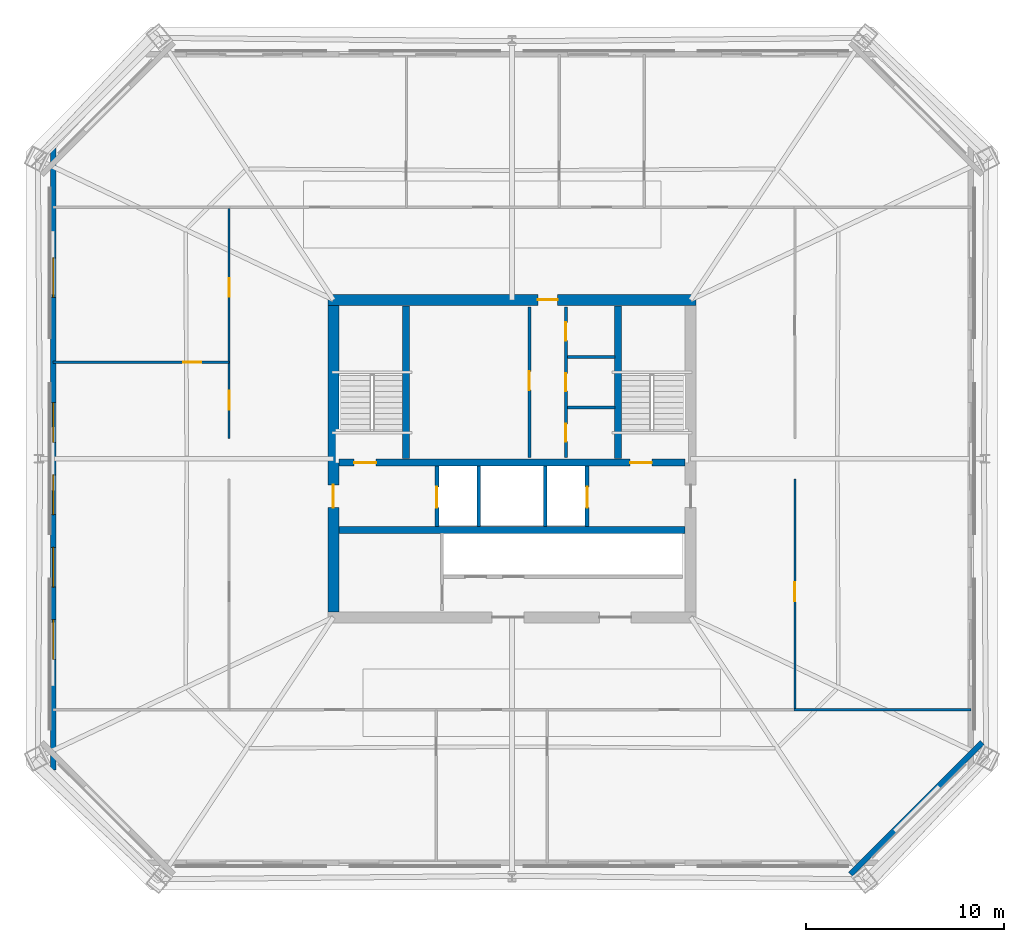
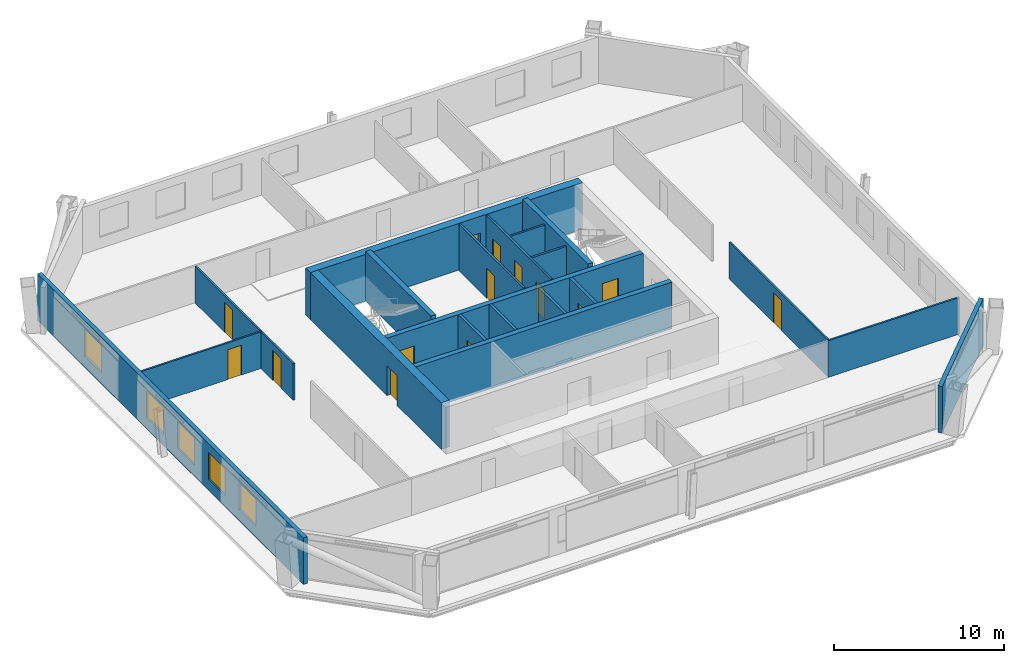
# One storey, part 3 of 7: 20 walls, 14 doors, 5 windows, 19 openings.
"""IFC4 building model written with IfcOpenShell, lengths in metres."""

from ifc_helpers import new_model, si_unit, direction, frame, frame_2d, origin, place, context, subcontext, project, spatial, rectangle, extrude, material, layer, layer_set, type_object, element, fill, save


model = new_model("IFC4")

# Units and contexts
model_context = context("Model", 3, precision=1e-05, world=origin(), true_north=direction((0.0, 1.0)))
body_context = subcontext(model_context, "Body", "Model", "MODEL_VIEW")
ifc_project = project(units=[si_unit("LENGTHUNIT", "METRE"), si_unit("AREAUNIT", "SQUARE_METRE"), si_unit("VOLUMEUNIT", "CUBIC_METRE"), si_unit("PLANEANGLEUNIT", "RADIAN"), si_unit("MASSUNIT", "GRAM", prefix="KILO")], contexts=[model_context])

# Site, building, storey
site_placement = place(None, origin())
site = spatial("IfcSite", under=ifc_project, at=site_placement, CompositionType="ELEMENT")
building_placement = place(site_placement, origin())
building = spatial("IfcBuilding", under=site, at=building_placement, Name="Caelvoria Tower", CompositionType="ELEMENT")
storey_placement = place(building_placement, frame((0.0, 0.0, 156.39990234375)))
storey = spatial("IfcBuildingStorey", under=building, at=storey_placement, Name="L41", CompositionType="ELEMENT", Elevation=156.39990234375)

# Wall, openings, doors
ifc_material_1 = material(Name="Concrete C50/60", Category="concrete")
ifc_layer_1 = layer(ifc_material_1, 0.35009765625, Name="Concrete C50/60")
ifc_layer_set_1 = layer_set([ifc_layer_1], Name="Core Internal Shear Wall 350 - Concrete C50/60")
wall_type_1 = type_object("IfcWallType", Name="Core Internal Shear Wall 350", PredefinedType="SHEAR", material=ifc_layer_set_1)
wall_1_placement = place(storey_placement, frame((37.27490234375, 31.800048828125, 0.0), z_axis=(0.0, 0.0, 1.0), x_axis=(1.0, 0.0, 0.0)))
wall_1 = element("IfcWall", 1, at=wall_1_placement, inside=storey, type_object=wall_type_1, Name="Core Shear Wall L41 M1", PredefinedType="SHEAR", context=body_context, shape_type="SweptSolid", body=[
    extrude(rectangle(XDim=17.4501953125, YDim=0.35009765625, at=frame_2d((8.72509765625, 0.0))), origin(), (0.0, 0.0, 1.0), 3.360107421875),
])
opening_1_placement = place(wall_1_placement, frame((0.77490234375, 0.0, 0.0)))
opening_1 = element("IfcOpeningElement", 2, at=opening_1_placement, cuts=wall_1, Name="Opening ID-01", PredefinedType="OPENING", context=body_context, shape_type="SweptSolid", body=[
    extrude(rectangle(XDim=1.10009765625, YDim=2.14990234375, at=frame_2d((0.550048828125, 1.074951171875))), frame((0.0, 0.18505859375, 0.0), z_axis=(0.0, -1.0, 0.0), x_axis=(1.0, 0.0, 0.0)), (0.0, 0.0, 1.0), 0.3701171875),
])
opening_2_placement = place(wall_1_placement, frame((14.675048828125, 0.0, 0.0)))
opening_2 = element("IfcOpeningElement", 3, at=opening_2_placement, cuts=wall_1, Name="Opening ID-01", PredefinedType="OPENING", context=body_context, shape_type="SweptSolid", body=[
    extrude(rectangle(XDim=1.10009765625, YDim=2.14990234375, at=frame_2d((0.550048828125, 1.074951171875))), frame((0.0, 0.18505859375, 0.0), z_axis=(0.0, -1.0, 0.0), x_axis=(1.0, 0.0, 0.0)), (0.0, 0.0, 1.0), 0.3701171875),
])
ifc_material_2 = material(Name="Painted Hollow Steel Fire Door", Category="steel")
door_type_1 = type_object("IfcDoorType", Name="Fire Door FD90S 1100x2150", OperationType="NOTDEFINED", PredefinedType="DOOR", material=ifc_material_2)
door_1_placement = place(opening_1_placement, origin())
door_1 = element("IfcDoor", 4, at=door_1_placement, inside=storey, type_object=door_type_1, Name="Core Door DR-L41-ST1", OperationType="SINGLE_SWING_LEFT", OverallHeight=2.14990234375, OverallWidth=1.10009765625, PredefinedType="DOOR", context=body_context, shape_type="SweptSolid", body=[
    extrude(rectangle(XDim=1.10009765625, YDim=2.14990234375, at=frame_2d((0.550048828125, 1.074951171875))), frame((0.0, 0.02490234375, 0.0), z_axis=(0.0, -1.0, 0.0), x_axis=(1.0, 0.0, 0.0)), (0.0, 0.0, 1.0), 0.050048828125),
])
fill(opening_1, door_1)
door_2_placement = place(opening_2_placement, origin())
door_2 = element("IfcDoor", 5, at=door_2_placement, inside=storey, type_object=door_type_1, Name="Core Door DR-L41-ST2", OperationType="SINGLE_SWING_RIGHT", OverallHeight=2.14990234375, OverallWidth=1.10009765625, PredefinedType="DOOR", context=body_context, shape_type="SweptSolid", body=[
    extrude(rectangle(XDim=1.10009765625, YDim=2.14990234375, at=frame_2d((0.550048828125, 1.074951171875))), frame((0.0, 0.02490234375, 0.0), z_axis=(0.0, -1.0, 0.0), x_axis=(1.0, 0.0, 0.0)), (0.0, 0.0, 1.0), 0.050048828125),
])
fill(opening_2, door_2)

# Walls
wall_2_placement = place(storey_placement, frame((37.27490234375, 28.39990234375, 0.0), z_axis=(0.0, 0.0, 1.0), x_axis=(1.0, 0.0, 0.0)))
element("IfcWall", 6, at=wall_2_placement, inside=storey, type_object=wall_type_1, Name="Core Shear Wall L41 M2", PredefinedType="SHEAR", context=body_context, shape_type="SweptSolid", body=[
    extrude(rectangle(XDim=17.4501953125, YDim=0.35009765625, at=frame_2d((8.72509765625, 0.0))), origin(), (0.0, 0.0, 1.0), 3.360107421875),
])
for number, where, z_axis, x_axis, name in (
    (7, (40.64990234375, 32.0, 0.0), (0.0, 0.0, 1.0), (0.0, 1.0, 0.0), "Interior Partition IW-L41-ST1E"),
    (8, (51.35009765625, 32.0, 0.0), (0.0, 0.0, 1.0), (0.0, 1.0, 0.0), "Interior Partition IW-L41-ST2W"),
):
    element("IfcWall", number, at=place(storey_placement, frame(where, z_axis=z_axis, x_axis=x_axis)), inside=storey, type_object=wall_type_1, Name=name, PredefinedType="SHEAR", context=body_context, shape_type="SweptSolid", body=[
        extrude(rectangle(XDim=7.699951171875, YDim=0.35009765625, at=frame_2d((3.85009765625, 0.0))), origin(), (0.0, 0.0, 1.0), 3.60009765625),
    ])

# Wall, opening, door
ifc_material_3 = material(Name="Moisture-Resistant Gypsum on Steel Stud", Category="steel")
ifc_layer_2 = layer(ifc_material_3, 0.139892578125, Name="Moisture-Resistant Gypsum on Steel Stud")
ifc_layer_set_2 = layer_set([ifc_layer_2], Name="Core Sanitary Acoustic Partition Wall 140 - Moisture-Resistant Gypsum on Steel Stud")
wall_type_2 = type_object("IfcWallType", Name="Core Sanitary Acoustic Partition Wall 140", PredefinedType="PARTITIONING", material=ifc_layer_set_2)
wall_3_placement = place(storey_placement, frame((46.8798828125, 32.050048828125, 0.0), z_axis=(0.0, 0.0, 1.0), x_axis=(0.0, 1.0, 0.0)))
wall_3 = element("IfcWall", 9, at=wall_3_placement, inside=storey, type_object=wall_type_2, Name="Interior Partition IW-L41-C2L", PredefinedType="PARTITIONING", context=body_context, shape_type="SweptSolid", body=[
    extrude(rectangle(XDim=7.599853515625, YDim=0.139892578125, at=frame_2d((3.7998046875, 0.0))), origin(), (0.0, 0.0, 1.0), 3.360107421875),
])
opening_3_placement = place(wall_3_placement, frame((3.39990234375, 0.0, 0.0)))
opening_3 = element("IfcOpeningElement", 10, at=opening_3_placement, cuts=wall_3, Name="Opening ID-05", PredefinedType="OPENING", context=body_context, shape_type="SweptSolid", body=[
    extrude(rectangle(XDim=0.949951171875, YDim=2.14990234375, at=frame_2d((0.47509765625, 1.074951171875))), frame((0.0, 0.079833984375, 0.0), z_axis=(0.0, -1.0, 0.0), x_axis=(1.0, 0.0, 0.0)), (0.0, 0.0, 1.0), 0.159912109375),
])
ifc_material_4 = material(Name="Engineered Andean Oak Veneer Door", Category="wood")
door_type_2 = type_object("IfcDoorType", Name="Interior Timber Door 950x2150", OperationType="NOTDEFINED", PredefinedType="DOOR", material=ifc_material_4)
door_3_placement = place(opening_3_placement, origin())
door_3 = element("IfcDoor", 11, at=door_3_placement, inside=storey, type_object=door_type_2, Name="Interior Door DR-L41-C2W", OperationType="SINGLE_SWING_LEFT", OverallHeight=2.14990234375, OverallWidth=0.949951171875, PredefinedType="DOOR", context=body_context, shape_type="SweptSolid", body=[
    extrude(rectangle(XDim=0.949951171875, YDim=2.14990234375, at=frame_2d((0.47509765625, 1.074951171875))), frame((0.0, 0.02490234375, 0.0), z_axis=(0.0, -1.0, 0.0), x_axis=(1.0, 0.0, 0.0)), (0.0, 0.0, 1.0), 0.050048828125),
])
fill(opening_3, door_3)

# Wall, openings, doors
wall_4_placement = place(storey_placement, frame((48.719970703125, 32.050048828125, 0.0), z_axis=(0.0, 0.0, 1.0), x_axis=(0.0, 1.0, 0.0)))
wall_4 = element("IfcWall", 12, at=wall_4_placement, inside=storey, type_object=wall_type_2, Name="Interior Partition IW-L41-C2R", PredefinedType="PARTITIONING", context=body_context, shape_type="SweptSolid", body=[
    extrude(rectangle(XDim=7.599853515625, YDim=0.139892578125, at=frame_2d((3.7998046875, 0.0))), origin(), (0.0, 0.0, 1.0), 3.360107421875),
])
opening_4_placement = place(wall_4_placement, frame((0.800048828125, 0.0, 0.0)))
opening_4 = element("IfcOpeningElement", 13, at=opening_4_placement, cuts=wall_4, Name="Opening ID-04", PredefinedType="OPENING", context=body_context, shape_type="SweptSolid", body=[
    extrude(rectangle(XDim=0.89990234375, YDim=2.14990234375, at=frame_2d((0.449951171875, 1.074951171875))), frame((0.0, 0.079833984375, 0.0), z_axis=(0.0, -1.0, 0.0), x_axis=(1.0, 0.0, 0.0)), (0.0, 0.0, 1.0), 0.159912109375),
])
opening_5_placement = place(wall_4_placement, frame((3.35009765625, 0.0, 0.0)))
opening_5 = element("IfcOpeningElement", 14, at=opening_5_placement, cuts=wall_4, Name="Opening ID-06", PredefinedType="OPENING", context=body_context, shape_type="SweptSolid", body=[
    extrude(rectangle(XDim=0.89990234375, YDim=2.14990234375, at=frame_2d((0.449951171875, 1.074951171875))), frame((0.0, 0.079833984375, 0.0), z_axis=(0.0, -1.0, 0.0), x_axis=(1.0, 0.0, 0.0)), (0.0, 0.0, 1.0), 0.159912109375),
])
opening_6_placement = place(wall_4_placement, frame((5.89990234375, 0.0, 0.0)))
opening_6 = element("IfcOpeningElement", 15, at=opening_6_placement, cuts=wall_4, Name="Opening ID-07", PredefinedType="OPENING", context=body_context, shape_type="SweptSolid", body=[
    extrude(rectangle(XDim=0.919921875, YDim=2.14990234375, at=frame_2d((0.4599609375, 1.074951171875))), frame((0.0, 0.079833984375, 0.0), z_axis=(0.0, -1.0, 0.0), x_axis=(1.0, 0.0, 0.0)), (0.0, 0.0, 1.0), 0.159912109375),
])
ifc_material_5 = material(Name="Engineered Andean Oak Accessible Door", Category="wood")
door_type_3 = type_object("IfcDoorType", Name="Accessible WC Door 950x2150", OperationType="NOTDEFINED", PredefinedType="DOOR", material=ifc_material_5)
door_4_placement = place(opening_6_placement, origin())
door_4 = element("IfcDoor", 16, at=door_4_placement, inside=storey, type_object=door_type_3, Name="Interior Door DR-L41-C2E3", OperationType="SINGLE_SWING_RIGHT", OverallHeight=2.14990234375, OverallWidth=0.919921875, PredefinedType="DOOR", context=body_context, shape_type="SweptSolid", body=[
    extrude(rectangle(XDim=0.919921875, YDim=2.14990234375, at=frame_2d((0.4599609375, 1.074951171875))), frame((0.0, 0.02490234375, 0.0), z_axis=(0.0, -1.0, 0.0), x_axis=(1.0, 0.0, 0.0)), (0.0, 0.0, 1.0), 0.050048828125),
])
fill(opening_6, door_4)
ifc_material_6 = material(Name="Acoustic Timber Fire Door", Category="wood")
door_type_4 = type_object("IfcDoorType", Name="Fire Door FD30S 900x2150", OperationType="NOTDEFINED", PredefinedType="DOOR", material=ifc_material_6)
door_5_placement = place(opening_4_placement, origin())
door_5 = element("IfcDoor", 17, at=door_5_placement, inside=storey, type_object=door_type_4, Name="Interior Door DR-L41-C2E1", OperationType="SINGLE_SWING_RIGHT", OverallHeight=2.14990234375, OverallWidth=0.89990234375, PredefinedType="DOOR", context=body_context, shape_type="SweptSolid", body=[
    extrude(rectangle(XDim=0.89990234375, YDim=2.14990234375, at=frame_2d((0.449951171875, 1.074951171875))), frame((0.0, 0.02490234375, 0.0), z_axis=(0.0, -1.0, 0.0), x_axis=(1.0, 0.0, 0.0)), (0.0, 0.0, 1.0), 0.050048828125),
])
fill(opening_4, door_5)
door_type_5 = type_object("IfcDoorType", Name="Interior Timber Door 900x2150", OperationType="NOTDEFINED", PredefinedType="DOOR", material=ifc_material_4)
door_6_placement = place(opening_5_placement, origin())
door_6 = element("IfcDoor", 18, at=door_6_placement, inside=storey, type_object=door_type_5, Name="Interior Door DR-L41-C2E2", OperationType="SINGLE_SWING_LEFT", OverallHeight=2.14990234375, OverallWidth=0.89990234375, PredefinedType="DOOR", context=body_context, shape_type="SweptSolid", body=[
    extrude(rectangle(XDim=0.89990234375, YDim=2.14990234375, at=frame_2d((0.449951171875, 1.074951171875))), frame((0.0, 0.02490234375, 0.0), z_axis=(0.0, -1.0, 0.0), x_axis=(1.0, 0.0, 0.0)), (0.0, 0.0, 1.0), 0.050048828125),
])
fill(opening_5, door_6)

# Walls
for number, where, z_axis, x_axis, name in (
    (19, (48.800048828125, 34.580078125, 0.0), (0.0, 0.0, 1.0), (1.0, 0.0, 0.0), "Interior Partition IW-L41-C2H1"),
    (20, (48.800048828125, 37.1201171875, 0.0), (0.0, 0.0, 1.0), (1.0, 0.0, 0.0), "Interior Partition IW-L41-C2H2"),
):
    element("IfcWall", number, at=place(storey_placement, frame(where, z_axis=z_axis, x_axis=x_axis)), inside=storey, type_object=wall_type_2, Name=name, PredefinedType="PARTITIONING", context=body_context, shape_type="SweptSolid", body=[
        extrude(rectangle(XDim=2.39990234375, YDim=0.139892578125, at=frame_2d((1.199951171875, 0.0))), origin(), (0.0, 0.0, 1.0), 3.360107421875),
    ])
ifc_material_7 = material(Name="Precast Concrete C40/50 with Bronze Cladding", Category="concrete")
ifc_layer_3 = layer(ifc_material_7, 0.280029296875, Name="Precast Concrete C40/50 with Bronze Cladding")
ifc_layer_set_3 = layer_set([ifc_layer_3], Name="Exterior Precast Concrete C40/50 Bronze-Clad Facade Wall 280 - Precast Concrete C40/50 with Bronze Cladding")
wall_type_3 = type_object("IfcWallType", Name="Exterior Precast Concrete C40/50 Bronze-Clad Facade Wall 280", PredefinedType="STANDARD", material=ifc_layer_set_3)
wall_5_placement = place(storey_placement, frame((63.054443359375, 11.05615234375, 0.0), z_axis=(0.0, 0.0, 1.0), x_axis=(0.707106781187, 0.707106781187, 0.0)))
element("IfcWall", 21, at=wall_5_placement, inside=storey, type_object=wall_type_3, Name="Exterior Facade Wall L41-E1", PredefinedType="STANDARD", context=body_context, shape_type="SweptSolid", body=[
    extrude(rectangle(XDim=9.3896484375, YDim=0.280029296875, at=frame_2d((4.69482421875, 0.0))), origin(), (0.0, 0.0, 1.0), 3.360107421875),
])

# Wall, openings, windows
wall_6_placement = place(storey_placement, frame((22.8798828125, 47.68994140625, 0.0), z_axis=(0.0, 0.0, 1.0), x_axis=(0.0, -1.0, 0.0)))
wall_6 = element("IfcWall", 22, at=wall_6_placement, inside=storey, type_object=wall_type_3, Name="Exterior Facade Wall L41-E6", PredefinedType="STANDARD", context=body_context, shape_type="SweptSolid", body=[
    extrude(rectangle(XDim=31.3798828125, YDim=0.280029296875, at=frame_2d((15.68994140625, 0.0))), origin(), (0.0, 0.0, 1.0), 3.360107421875),
])
opening_7_placement = place(wall_6_placement, frame((5.5712890625, 0.0, 0.800048828125)))
opening_7 = element("IfcOpeningElement", 23, at=opening_7_placement, cuts=wall_6, Name="Opening WN-01", PredefinedType="OPENING", context=body_context, shape_type="SweptSolid", body=[
    extrude(rectangle(XDim=2.0, YDim=1.949951171875, at=frame_2d((1.0, 0.97509765625))), frame((0.0, 0.14990234375, 0.0), z_axis=(0.0, -1.0, 0.0), x_axis=(1.0, 0.0, 0.0)), (0.0, 0.0, 1.0), 0.300048828125),
])
opening_8_placement = place(wall_6_placement, frame((12.8662109375, 0.0, 0.800048828125)))
opening_8 = element("IfcOpeningElement", 24, at=opening_8_placement, cuts=wall_6, Name="Opening WN-01", PredefinedType="OPENING", context=body_context, shape_type="SweptSolid", body=[
    extrude(rectangle(XDim=2.0, YDim=1.949951171875, at=frame_2d((1.0, 0.97509765625))), frame((0.0, 0.14990234375, 0.0), z_axis=(0.0, -1.0, 0.0), x_axis=(1.0, 0.0, 0.0)), (0.0, 0.0, 1.0), 0.300048828125),
])
opening_9_placement = place(wall_6_placement, frame((16.513916015625, 0.0, 0.800048828125)))
opening_9 = element("IfcOpeningElement", 25, at=opening_9_placement, cuts=wall_6, Name="Opening WN-01", PredefinedType="OPENING", context=body_context, shape_type="SweptSolid", body=[
    extrude(rectangle(XDim=2.0, YDim=1.949951171875, at=frame_2d((1.0, 0.97509765625))), frame((0.0, 0.14990234375, 0.0), z_axis=(0.0, -1.0, 0.0), x_axis=(1.0, 0.0, 0.0)), (0.0, 0.0, 1.0), 0.300048828125),
])
opening_10_placement = place(wall_6_placement, frame((20.161376953125, 0.0, 0.800048828125)))
opening_10 = element("IfcOpeningElement", 26, at=opening_10_placement, cuts=wall_6, Name="Opening WN-01", PredefinedType="OPENING", context=body_context, shape_type="SweptSolid", body=[
    extrude(rectangle(XDim=2.0, YDim=1.949951171875, at=frame_2d((1.0, 0.97509765625))), frame((0.0, 0.14990234375, 0.0), z_axis=(0.0, -1.0, 0.0), x_axis=(1.0, 0.0, 0.0)), (0.0, 0.0, 1.0), 0.300048828125),
])
opening_11_placement = place(wall_6_placement, frame((23.80859375, 0.0, 0.800048828125)))
opening_11 = element("IfcOpeningElement", 27, at=opening_11_placement, cuts=wall_6, Name="Opening WN-01", PredefinedType="OPENING", context=body_context, shape_type="SweptSolid", body=[
    extrude(rectangle(XDim=2.0, YDim=1.949951171875, at=frame_2d((1.0, 0.97509765625))), frame((0.0, 0.14990234375, 0.0), z_axis=(0.0, -1.0, 0.0), x_axis=(1.0, 0.0, 0.0)), (0.0, 0.0, 1.0), 0.300048828125),
])
ifc_material_8 = material(Name="Low-E Tinted Glass in Bronze Aluminium Frame", Category="aluminium")
window_type = type_object("IfcWindowType", Name="Tower Office Vision Window 2000x1950", PartitioningType="SINGLE_PANEL", PredefinedType="WINDOW", material=ifc_material_8)
window_1_placement = place(opening_7_placement, origin())
window_1 = element("IfcWindow", 28, at=window_1_placement, inside=storey, type_object=window_type, Name="Facade Window L41-E6-01", OverallHeight=1.949951171875, OverallWidth=2.0, PartitioningType="SINGLE_PANEL", PredefinedType="WINDOW", context=body_context, shape_type="SweptSolid", body=[
    extrude(rectangle(XDim=2.0, YDim=1.949951171875, at=frame_2d((1.0, 0.97509765625))), frame((0.0, 0.030029296875, 0.0), z_axis=(0.0, -1.0, 0.0), x_axis=(1.0, 0.0, 0.0)), (0.0, 0.0, 1.0), 0.06005859375),
])
fill(opening_7, window_1)
window_2_placement = place(opening_8_placement, origin())
window_2 = element("IfcWindow", 29, at=window_2_placement, inside=storey, type_object=window_type, Name="Facade Window L41-E6-03", OverallHeight=1.949951171875, OverallWidth=2.0, PartitioningType="SINGLE_PANEL", PredefinedType="WINDOW", context=body_context, shape_type="SweptSolid", body=[
    extrude(rectangle(XDim=2.0, YDim=1.949951171875, at=frame_2d((1.0, 0.97509765625))), frame((0.0, 0.030029296875, 0.0), z_axis=(0.0, -1.0, 0.0), x_axis=(1.0, 0.0, 0.0)), (0.0, 0.0, 1.0), 0.06005859375),
])
fill(opening_8, window_2)
window_3_placement = place(opening_9_placement, origin())
window_3 = element("IfcWindow", 30, at=window_3_placement, inside=storey, type_object=window_type, Name="Facade Window L41-E6-04", OverallHeight=1.949951171875, OverallWidth=2.0, PartitioningType="SINGLE_PANEL", PredefinedType="WINDOW", context=body_context, shape_type="SweptSolid", body=[
    extrude(rectangle(XDim=2.0, YDim=1.949951171875, at=frame_2d((1.0, 0.97509765625))), frame((0.0, 0.030029296875, 0.0), z_axis=(0.0, -1.0, 0.0), x_axis=(1.0, 0.0, 0.0)), (0.0, 0.0, 1.0), 0.06005859375),
])
fill(opening_9, window_3)
window_4_placement = place(opening_10_placement, origin())
window_4 = element("IfcWindow", 31, at=window_4_placement, inside=storey, type_object=window_type, Name="Facade Window L41-E6-05", OverallHeight=1.949951171875, OverallWidth=2.0, PartitioningType="SINGLE_PANEL", PredefinedType="WINDOW", context=body_context, shape_type="SweptSolid", body=[
    extrude(rectangle(XDim=2.0, YDim=1.949951171875, at=frame_2d((1.0, 0.97509765625))), frame((0.0, 0.030029296875, 0.0), z_axis=(0.0, -1.0, 0.0), x_axis=(1.0, 0.0, 0.0)), (0.0, 0.0, 1.0), 0.06005859375),
])
fill(opening_10, window_4)
window_5_placement = place(opening_11_placement, origin())
window_5 = element("IfcWindow", 32, at=window_5_placement, inside=storey, type_object=window_type, Name="Facade Window L41-E6-06", OverallHeight=1.949951171875, OverallWidth=2.0, PartitioningType="SINGLE_PANEL", PredefinedType="WINDOW", context=body_context, shape_type="SweptSolid", body=[
    extrude(rectangle(XDim=2.0, YDim=1.949951171875, at=frame_2d((1.0, 0.97509765625))), frame((0.0, 0.030029296875, 0.0), z_axis=(0.0, -1.0, 0.0), x_axis=(1.0, 0.0, 0.0)), (0.0, 0.0, 1.0), 0.06005859375),
])
fill(opening_11, window_5)

# Walls
ifc_material_9 = material(Name="Concrete Block and Fireboard Assembly", Category="concrete")
ifc_layer_4 = layer(ifc_material_9, 0.179931640625, Name="Concrete Block and Fireboard Assembly")
ifc_layer_set_4 = layer_set([ifc_layer_4], Name="Fire-Rated Hoistway Partition Wall 180 - Concrete Block and Fireboard Assembly")
wall_type_4 = type_object("IfcWallType", Name="Fire-Rated Hoistway Partition Wall 180", PredefinedType="PARTITIONING", material=ifc_layer_set_4)
for number, where, z_axis, x_axis, name in (
    (33, (44.320068359375, 28.580078125, 0.0), (0.0, 0.0, 1.0), (0.0, 1.0, 0.0), "Interior Partition IW-L41-SV1W"),
    (34, (47.679931640625, 28.580078125, 0.0), (0.0, 0.0, 1.0), (0.0, 1.0, 0.0), "Interior Partition IW-L41-SV1E"),
):
    element("IfcWall", number, at=place(storey_placement, frame(where, z_axis=z_axis, x_axis=x_axis)), inside=storey, type_object=wall_type_4, Name=name, PredefinedType="PARTITIONING", context=body_context, shape_type="SweptSolid", body=[
        extrude(rectangle(XDim=3.0400390625, YDim=0.179931640625, at=frame_2d((1.52001953125, 0.0))), origin(), (0.0, 0.0, 1.0), 3.360107421875),
    ])

# Wall, opening, door
ifc_layer_5 = layer(ifc_material_9, 0.199951171875, Name="Concrete Block and Fireboard Assembly")
ifc_layer_set_5 = layer_set([ifc_layer_5], Name="Fire-Rated Shaft and Core Partition Wall 200 - Concrete Block and Fireboard Assembly")
wall_type_5 = type_object("IfcWallType", Name="Fire-Rated Shaft and Core Partition Wall 200", PredefinedType="PARTITIONING", material=ifc_layer_set_5)
wall_7_placement = place(storey_placement, frame((42.219970703125, 28.580078125, 0.0), z_axis=(0.0, 0.0, 1.0), x_axis=(0.0, 1.0, 0.0)))
wall_7 = element("IfcWall", 35, at=wall_7_placement, inside=storey, type_object=wall_type_5, Name="Interior Partition IW-L41-LF1W", PredefinedType="PARTITIONING", context=body_context, shape_type="SweptSolid", body=[
    extrude(rectangle(XDim=3.0400390625, YDim=0.199951171875, at=frame_2d((1.52001953125, 0.0))), origin(), (0.0, 0.0, 1.0), 3.360107421875),
])
opening_12_placement = place(wall_7_placement, frame((0.949951171875, 0.0, 0.0)))
opening_12 = element("IfcOpeningElement", 36, at=opening_12_placement, cuts=wall_7, Name="Opening LD-01", PredefinedType="OPENING", context=body_context, shape_type="SweptSolid", body=[
    extrude(rectangle(XDim=1.050048828125, YDim=2.14990234375, at=frame_2d((0.52490234375, 1.074951171875))), frame((0.0, 0.10986328125, 0.0), z_axis=(0.0, -1.0, 0.0), x_axis=(1.0, 0.0, 0.0)), (0.0, 0.0, 1.0), 0.219970703125),
])
ifc_material_10 = material(Name="Brushed Bronze Stainless Sliding Landing Door", Category="aluminium")
door_type_6 = type_object("IfcDoorType", Name="Lift Landing Sliding Door 1100x2150", OperationType="NOTDEFINED", PredefinedType="DOOR", material=ifc_material_10)
door_7_placement = place(opening_12_placement, origin())
door_7 = element("IfcDoor", 37, at=door_7_placement, inside=storey, type_object=door_type_6, Name="Interior Door LD-L41-LF1", OperationType="SLIDING_TO_LEFT", OverallHeight=2.14990234375, OverallWidth=1.050048828125, PredefinedType="DOOR", context=body_context, shape_type="SweptSolid", body=[
    extrude(rectangle(XDim=1.050048828125, YDim=2.14990234375, at=frame_2d((0.52490234375, 1.074951171875))), frame((0.0, 0.02490234375, 0.0), z_axis=(0.0, -1.0, 0.0), x_axis=(1.0, 0.0, 0.0)), (0.0, 0.0, 1.0), 0.050048828125),
])
fill(opening_12, door_7)

wall_8_placement = place(storey_placement, frame((49.780029296875, 28.580078125, 0.0), z_axis=(0.0, 0.0, 1.0), x_axis=(0.0, 1.0, 0.0)))
wall_8 = element("IfcWall", 38, at=wall_8_placement, inside=storey, type_object=wall_type_5, Name="Interior Partition IW-L41-LF2E", PredefinedType="PARTITIONING", context=body_context, shape_type="SweptSolid", body=[
    extrude(rectangle(XDim=3.0400390625, YDim=0.199951171875, at=frame_2d((1.52001953125, 0.0))), origin(), (0.0, 0.0, 1.0), 3.360107421875),
])
opening_13_placement = place(wall_8_placement, frame((0.949951171875, 0.0, 0.0)))
opening_13 = element("IfcOpeningElement", 39, at=opening_13_placement, cuts=wall_8, Name="Opening LD-01", PredefinedType="OPENING", context=body_context, shape_type="SweptSolid", body=[
    extrude(rectangle(XDim=1.050048828125, YDim=2.14990234375, at=frame_2d((0.52490234375, 1.074951171875))), frame((0.0, 0.10986328125, 0.0), z_axis=(0.0, -1.0, 0.0), x_axis=(1.0, 0.0, 0.0)), (0.0, 0.0, 1.0), 0.219970703125),
])
door_8_placement = place(opening_13_placement, origin())
door_8 = element("IfcDoor", 40, at=door_8_placement, inside=storey, type_object=door_type_6, Name="Interior Door LD-L41-LF2", OperationType="SLIDING_TO_RIGHT", OverallHeight=2.14990234375, OverallWidth=1.050048828125, PredefinedType="DOOR", context=body_context, shape_type="SweptSolid", body=[
    extrude(rectangle(XDim=1.050048828125, YDim=2.14990234375, at=frame_2d((0.52490234375, 1.074951171875))), frame((0.0, 0.02490234375, 0.0), z_axis=(0.0, -1.0, 0.0), x_axis=(1.0, 0.0, 0.0)), (0.0, 0.0, 1.0), 0.050048828125),
])
fill(opening_13, door_8)

ifc_material_11 = material(Name="Concrete C55/67", Category="concrete")
ifc_layer_6 = layer(ifc_material_11, 0.550048828125, Name="Concrete C55/67")
ifc_layer_set_6 = layer_set([ifc_layer_6], Name="Mid Core Shear Wall 550 - Concrete C55/67")
wall_type_6 = type_object("IfcWallType", Name="Mid Core Shear Wall 550", PredefinedType="SHEAR", material=ifc_layer_set_6)
wall_9_placement = place(storey_placement, frame((36.72509765625, 40.0, 0.0), z_axis=(0.0, 0.0, 1.0), x_axis=(1.0, 0.0, 0.0)))
wall_9 = element("IfcWall", 41, at=wall_9_placement, inside=storey, type_object=wall_type_6, Name="Core Shear Wall L41 N", PredefinedType="SHEAR", context=body_context, shape_type="SweptSolid", body=[
    extrude(rectangle(XDim=18.5498046875, YDim=0.550048828125, at=frame_2d((9.27490234375, 0.0))), origin(), (0.0, 0.0, 1.0), 3.360107421875),
])
opening_14_placement = place(wall_9_placement, frame((10.574951171875, 0.0, 0.0)))
opening_14 = element("IfcOpeningElement", 42, at=opening_14_placement, cuts=wall_9, Name="Opening ID-03", PredefinedType="OPENING", context=body_context, shape_type="SweptSolid", body=[
    extrude(rectangle(XDim=1.0, YDim=2.14990234375, at=frame_2d((0.5, 1.074951171875))), frame((0.0, 0.284912109375, 0.0), z_axis=(0.0, -1.0, 0.0), x_axis=(1.0, 0.0, 0.0)), (0.0, 0.0, 1.0), 0.570068359375),
])
door_type_7 = type_object("IfcDoorType", Name="Fire Door FD60S 1000x2150", OperationType="NOTDEFINED", PredefinedType="DOOR", material=ifc_material_2)
door_9_placement = place(opening_14_placement, origin())
door_9 = element("IfcDoor", 43, at=door_9_placement, inside=storey, type_object=door_type_7, Name="Core Door DR-L41-WC-MAIN", OperationType="SINGLE_SWING_RIGHT", OverallHeight=2.14990234375, OverallWidth=1.0, PredefinedType="DOOR", context=body_context, shape_type="SweptSolid", body=[
    extrude(rectangle(XDim=1.0, YDim=2.14990234375, at=frame_2d((0.5, 1.074951171875))), frame((0.0, 0.02490234375, 0.0), z_axis=(0.0, -1.0, 0.0), x_axis=(1.0, 0.0, 0.0)), (0.0, 0.0, 1.0), 0.050048828125),
])
fill(opening_14, door_9)

wall_10_placement = place(storey_placement, frame((37.0, 24.27490234375, 0.0), z_axis=(0.0, 0.0, 1.0), x_axis=(0.0, 1.0, 0.0)))
wall_10 = element("IfcWall", 44, at=wall_10_placement, inside=storey, type_object=wall_type_6, Name="Core Shear Wall L41 W", PredefinedType="SHEAR", context=body_context, shape_type="SweptSolid", body=[
    extrude(rectangle(XDim=15.4501953125, YDim=0.550048828125, at=frame_2d((7.72509765625, 0.0))), origin(), (0.0, 0.0, 1.0), 3.360107421875),
])
opening_15_placement = place(wall_10_placement, frame((5.25, 0.0, 0.0)))
opening_15 = element("IfcOpeningElement", 45, at=opening_15_placement, cuts=wall_10, Name="Opening ID-02", PredefinedType="OPENING", context=body_context, shape_type="SweptSolid", body=[
    extrude(rectangle(XDim=1.14990234375, YDim=2.14990234375, at=frame_2d((0.574951171875, 1.074951171875))), frame((0.0, 0.284912109375, 0.0), z_axis=(0.0, -1.0, 0.0), x_axis=(1.0, 0.0, 0.0)), (0.0, 0.0, 1.0), 0.570068359375),
])
door_type_8 = type_object("IfcDoorType", Name="Fire Door FD60S 1150x2150", OperationType="NOTDEFINED", PredefinedType="DOOR", material=ifc_material_2)
door_10_placement = place(opening_15_placement, origin())
door_10 = element("IfcDoor", 46, at=door_10_placement, inside=storey, type_object=door_type_8, Name="Core Door DR-L41-FFLW-OUT", OperationType="SINGLE_SWING_LEFT", OverallHeight=2.14990234375, OverallWidth=1.14990234375, PredefinedType="DOOR", context=body_context, shape_type="SweptSolid", body=[
    extrude(rectangle(XDim=1.14990234375, YDim=2.14990234375, at=frame_2d((0.574951171875, 1.074951171875))), frame((0.0, 0.02490234375, 0.0), z_axis=(0.0, -1.0, 0.0), x_axis=(1.0, 0.0, 0.0)), (0.0, 0.0, 1.0), 0.050048828125),
])
fill(opening_15, door_10)

ifc_material_12 = material(Name="Acoustic Gypsum Board on Light-Gauge Stud", Category="gypsum")
ifc_layer_7 = layer(ifc_material_12, 0.1201171875, Name="Acoustic Gypsum Board on Light-Gauge Stud")
ifc_layer_set_7 = layer_set([ifc_layer_7], Name="Tenant Suite Acoustic Partition Wall 120 - Acoustic Gypsum Board on Light-Gauge Stud")
wall_type_7 = type_object("IfcWallType", Name="Tenant Suite Acoustic Partition Wall 120", PredefinedType="PARTITIONING", material=ifc_layer_set_7)
wall_11_placement = place(storey_placement, frame((31.739990234375, 36.85009765625, 0.0), z_axis=(0.0, 0.0, 1.0), x_axis=(-1.0, 0.0, 0.0)))
wall_11 = element("IfcWall", 47, at=wall_11_placement, inside=storey, type_object=wall_type_7, Name="Interior Partition IW-L41-WD-00-0", PredefinedType="PARTITIONING", context=body_context, shape_type="SweptSolid", body=[
    extrude(rectangle(XDim=8.860107421875, YDim=0.1201171875, at=frame_2d((4.43017578125, 0.0))), origin(), (0.0, 0.0, 1.0), 2.64013671875),
])
opening_16_placement = place(wall_11_placement, frame((1.39990234375, 0.0, 0.0)))
opening_16 = element("IfcOpeningElement", 48, at=opening_16_placement, cuts=wall_11, Name="Opening ID-06", PredefinedType="OPENING", context=body_context, shape_type="SweptSolid", body=[
    extrude(rectangle(XDim=0.89990234375, YDim=2.14990234375, at=frame_2d((0.449951171875, 1.074951171875))), frame((0.0, 0.070068359375, 0.0), z_axis=(0.0, -1.0, 0.0), x_axis=(1.0, 0.0, 0.0)), (0.0, 0.0, 1.0), 0.14013671875),
])
door_11_placement = place(opening_16_placement, origin())
door_11 = element("IfcDoor", 49, at=door_11_placement, inside=storey, type_object=door_type_5, Name="Interior Door DR-L41-WM-00-0", OperationType="SINGLE_SWING_RIGHT", OverallHeight=2.14990234375, OverallWidth=0.89990234375, PredefinedType="DOOR", context=body_context, shape_type="SweptSolid", body=[
    extrude(rectangle(XDim=0.89990234375, YDim=2.14990234375, at=frame_2d((0.449951171875, 1.074951171875))), frame((0.0, 0.02490234375, 0.0), z_axis=(0.0, -1.0, 0.0), x_axis=(1.0, 0.0, 0.0)), (0.0, 0.0, 1.0), 0.050048828125),
])
fill(opening_16, door_11)

# Wall, openings, doors
wall_12_placement = place(storey_placement, frame((31.739990234375, 33.02001953125, 0.0), z_axis=(0.0, 0.0, 1.0), x_axis=(0.0, 1.0, 0.0)))
wall_12 = element("IfcWall", 50, at=wall_12_placement, inside=storey, type_object=wall_type_7, Name="Interior Partition IW-L41-WCW-1", PredefinedType="PARTITIONING", context=body_context, shape_type="SweptSolid", body=[
    extrude(rectangle(XDim=11.580078125, YDim=0.1201171875, at=frame_2d((5.7900390625, 0.0))), origin(), (0.0, 0.0, 1.0), 2.64013671875),
])
opening_17_placement = place(wall_12_placement, frame((1.43994140625, 0.0, 0.0)))
opening_17 = element("IfcOpeningElement", 51, at=opening_17_placement, cuts=wall_12, Name="Opening ID-05", PredefinedType="OPENING", context=body_context, shape_type="SweptSolid", body=[
    extrude(rectangle(XDim=0.949951171875, YDim=2.14990234375, at=frame_2d((0.47509765625, 1.074951171875))), frame((0.0, 0.070068359375, 0.0), z_axis=(0.0, -1.0, 0.0), x_axis=(1.0, 0.0, 0.0)), (0.0, 0.0, 1.0), 0.14013671875),
])
opening_18_placement = place(wall_12_placement, frame((7.130126953125, 0.0, 0.0)))
opening_18 = element("IfcOpeningElement", 52, at=opening_18_placement, cuts=wall_12, Name="Opening ID-05", PredefinedType="OPENING", context=body_context, shape_type="SweptSolid", body=[
    extrude(rectangle(XDim=0.949951171875, YDim=2.14990234375, at=frame_2d((0.47509765625, 1.074951171875))), frame((0.0, 0.070068359375, 0.0), z_axis=(0.0, -1.0, 0.0), x_axis=(1.0, 0.0, 0.0)), (0.0, 0.0, 1.0), 0.14013671875),
])
door_12_placement = place(opening_17_placement, origin())
door_12 = element("IfcDoor", 53, at=door_12_placement, inside=storey, type_object=door_type_2, Name="Interior Door DR-L41-WC-00-0", OperationType="SINGLE_SWING_RIGHT", OverallHeight=2.14990234375, OverallWidth=0.949951171875, PredefinedType="DOOR", context=body_context, shape_type="SweptSolid", body=[
    extrude(rectangle(XDim=0.949951171875, YDim=2.14990234375, at=frame_2d((0.47509765625, 1.074951171875))), frame((0.0, 0.02490234375, 0.0), z_axis=(0.0, -1.0, 0.0), x_axis=(1.0, 0.0, 0.0)), (0.0, 0.0, 1.0), 0.050048828125),
])
fill(opening_17, door_12)
door_13_placement = place(opening_18_placement, origin())
door_13 = element("IfcDoor", 54, at=door_13_placement, inside=storey, type_object=door_type_2, Name="Interior Door DR-L41-WC-01-0", OperationType="SINGLE_SWING_LEFT", OverallHeight=2.14990234375, OverallWidth=0.949951171875, PredefinedType="DOOR", context=body_context, shape_type="SweptSolid", body=[
    extrude(rectangle(XDim=0.949951171875, YDim=2.14990234375, at=frame_2d((0.47509765625, 1.074951171875))), frame((0.0, 0.02490234375, 0.0), z_axis=(0.0, -1.0, 0.0), x_axis=(1.0, 0.0, 0.0)), (0.0, 0.0, 1.0), 0.050048828125),
])
fill(opening_18, door_13)

# Wall, opening, door
wall_13_placement = place(storey_placement, frame((60.260009765625, 19.39990234375, 0.0), z_axis=(0.0, 0.0, 1.0), x_axis=(0.0, 1.0, 0.0)))
wall_13 = element("IfcWall", 55, at=wall_13_placement, inside=storey, type_object=wall_type_7, Name="Interior Partition IW-L41-ECW-0", PredefinedType="PARTITIONING", context=body_context, shape_type="SweptSolid", body=[
    extrude(rectangle(XDim=11.580078125, YDim=0.1201171875, at=frame_2d((5.7900390625, 0.0))), origin(), (0.0, 0.0, 1.0), 2.64013671875),
])
opening_19_placement = place(wall_13_placement, frame((5.4150390625, 0.0, 0.0)))
opening_19 = element("IfcOpeningElement", 56, at=opening_19_placement, cuts=wall_13, Name="Opening ID-05", PredefinedType="OPENING", context=body_context, shape_type="SweptSolid", body=[
    extrude(rectangle(XDim=0.949951171875, YDim=2.14990234375, at=frame_2d((0.47509765625, 1.074951171875))), frame((0.0, 0.070068359375, 0.0), z_axis=(0.0, -1.0, 0.0), x_axis=(1.0, 0.0, 0.0)), (0.0, 0.0, 1.0), 0.14013671875),
])
door_14_placement = place(opening_19_placement, origin())
door_14 = element("IfcDoor", 57, at=door_14_placement, inside=storey, type_object=door_type_2, Name="Interior Door DR-L41-EC-00-1", OperationType="SINGLE_SWING_LEFT", OverallHeight=2.14990234375, OverallWidth=0.949951171875, PredefinedType="DOOR", context=body_context, shape_type="SweptSolid", body=[
    extrude(rectangle(XDim=0.949951171875, YDim=2.14990234375, at=frame_2d((0.47509765625, 1.074951171875))), frame((0.0, 0.02490234375, 0.0), z_axis=(0.0, -1.0, 0.0), x_axis=(1.0, 0.0, 0.0)), (0.0, 0.0, 1.0), 0.050048828125),
])
fill(opening_19, door_14)

# Wall
wall_14_placement = place(storey_placement, frame((60.199951171875, 19.340087890625, 0.0), z_axis=(0.0, 0.0, 1.0), x_axis=(1.0, 0.0, 0.0)))
element("IfcWall", 58, at=wall_14_placement, inside=storey, type_object=wall_type_7, Name="Interior Partition IW-L41-BSE-0", PredefinedType="PARTITIONING", context=body_context, shape_type="SweptSolid", body=[
    extrude(rectangle(XDim=8.920166015625, YDim=0.1201171875, at=frame_2d((4.4599609375, 0.0))), origin(), (0.0, 0.0, 1.0), 2.64013671875),
])

save(model, "model.ifc")
